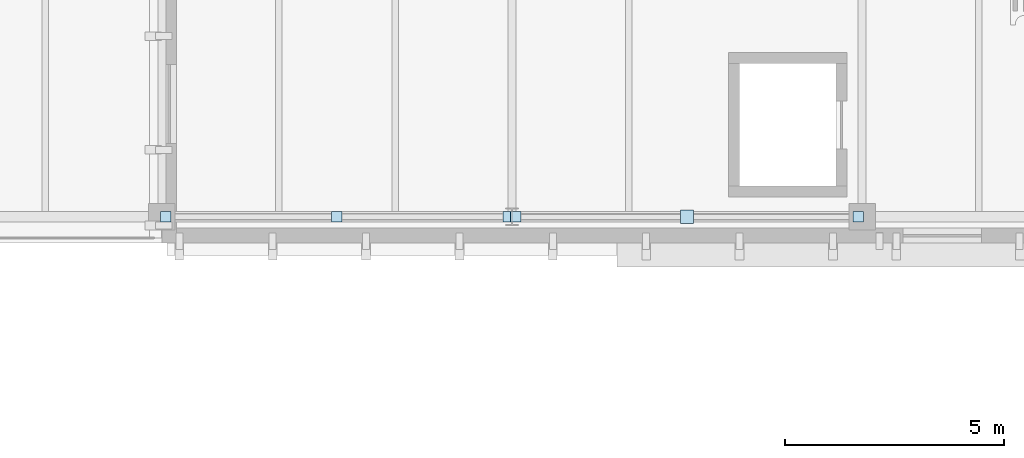
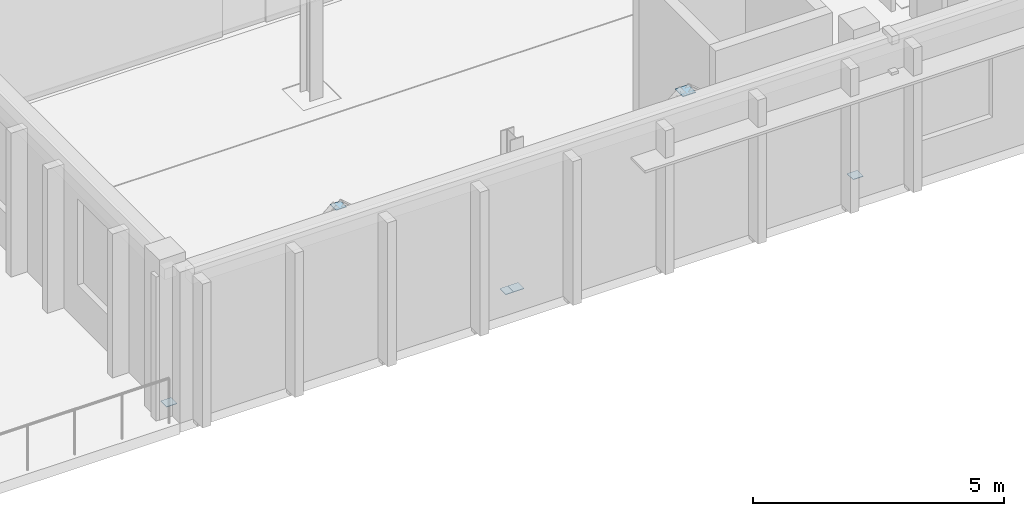
# One storey, part 21 of 43: 6 plates.
"""IFC4 building model written with IfcOpenShell, lengths in metres."""

from ifc_helpers import new_model, si_unit, direction, frame, origin, origin_2d, place, context, subcontext, project, spatial, rectangle, extrude, material, layer, layer_set, type_object, element, save


model = new_model("IFC4")

# Units and contexts
model_context = context("Model", 3, precision=1e-05, world=origin(), true_north=direction((0.0, 1.0)))
body_context = subcontext(model_context, "Body", "Model", "MODEL_VIEW")
ifc_project = project(units=[si_unit("LENGTHUNIT", "METRE"), si_unit("AREAUNIT", "SQUARE_METRE"), si_unit("VOLUMEUNIT", "CUBIC_METRE"), si_unit("PLANEANGLEUNIT", "RADIAN"), si_unit("MASSUNIT", "GRAM", prefix="KILO")], contexts=[model_context])

# Site, building, storey
site_placement = place(None, origin())
site = spatial("IfcSite", under=ifc_project, at=site_placement, CompositionType="ELEMENT")
building_placement = place(site_placement, origin())
building = spatial("IfcBuilding", under=site, at=building_placement, Name="Cymarion Research Institute", CompositionType="ELEMENT")
storey_placement = place(building_placement, frame((0.0, 0.0, 22.800048828125)))
storey = spatial("IfcBuildingStorey", under=building, at=storey_placement, Name="L05", CompositionType="ELEMENT", Elevation=22.800048828125)

# Plates
ifc_material = material(Name="Steel S355", Category="steel")
ifc_layer_1 = layer(ifc_material, 0.01806640625)
ifc_layer_set_1 = layer_set([ifc_layer_1], Name="Steel S355")
plate_type_1 = type_object("IfcPlateType", Name="STEEL NODE GUSSET PLATE CP01 18MM", PredefinedType="USERDEFINED", material=ifc_layer_set_1)
plate_placement = place(storey_placement, frame((26.60009765625, 47.5, 3.531005859375), z_axis=(0.0, 0.0, 1.0), x_axis=(1.0, 0.0, 0.0)))
element("IfcPlate", 1, at=plate_placement, inside=storey, type_object=plate_type_1, Name="L05 V4 chevron apex gusset plate", ObjectType="GUSSET PLATE", PredefinedType="USERDEFINED", context=body_context, shape_type="SweptSolid", body=[
    extrude(rectangle(XDim=0.300048828125, YDim=0.300048828125, at=origin_2d()), origin(), (0.0, 0.0, 1.0), 0.01806640625),
])
ifc_layer_2 = layer(ifc_material, 0.011962890625)
ifc_layer_set_2 = layer_set([ifc_layer_2], Name="Steel S355")
plate_type_2 = type_object("IfcPlateType", Name="STEEL NODE GUSSET PLATE CP02 12MM", PredefinedType="USERDEFINED", material=ifc_layer_set_2)
for number, where, z_axis, x_axis, name in (
    (2, (18.60009765625, 47.5, 3.5341796875), (0.0, 0.0, 1.0), (1.0, 0.0, 0.0), "L05 V4 chevron apex gusset plate"),
    (3, (14.691162109375, 47.5, 0.11376953125), (0.0, 0.0, 1.0), (1.0, 0.0, 0.0), "L05 V4 chevron base gusset plate #1"),
    (4, (22.5087890625, 47.5, 0.11376953125), (0.0, 0.0, 1.0), (1.0, 0.0, 0.0), "L05 V4 chevron base gusset plate #2"),
    (5, (22.691162109375, 47.5, 0.11376953125), (0.0, 0.0, 1.0), (1.0, 0.0, 0.0), "L05 V4 chevron base gusset plate #1"),
    (6, (30.5087890625, 47.5, 0.11376953125), (0.0, 0.0, 1.0), (1.0, 0.0, 0.0), "L05 V4 chevron base gusset plate #2"),
):
    element("IfcPlate", number, at=place(storey_placement, frame(where, z_axis=z_axis, x_axis=x_axis)), inside=storey, type_object=plate_type_2, Name=name, ObjectType="GUSSET PLATE", PredefinedType="USERDEFINED", context=body_context, shape_type="SweptSolid", body=[
        extrude(rectangle(XDim=0.239990234375, YDim=0.239990234375, at=origin_2d()), origin(), (0.0, 0.0, 1.0), 0.011962890625),
    ])

save(model, "model.ifc")
